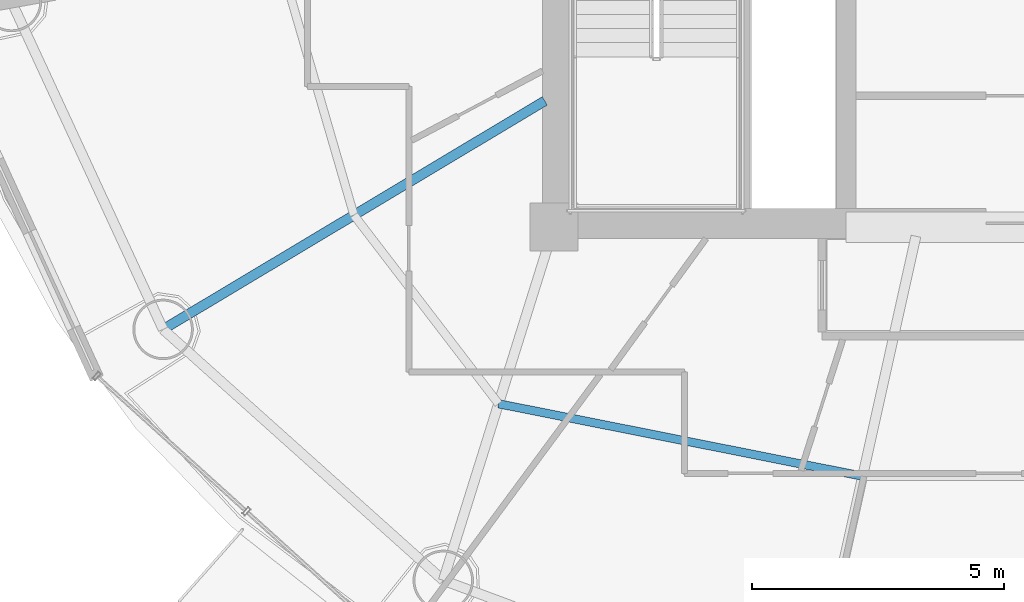
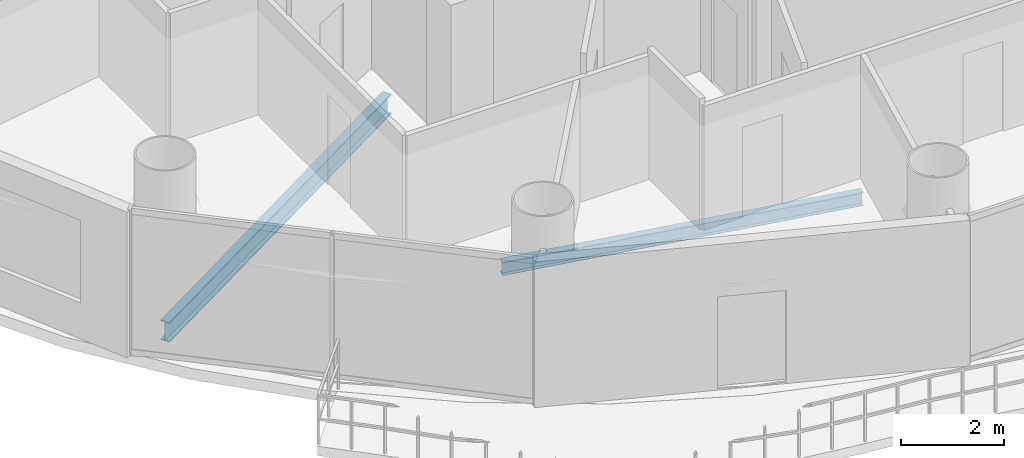
# One storey, part 4 of 27: 2 beams.
"""IFC4 building model written with IfcOpenShell, lengths in metres."""

from ifc_helpers import new_model, si_unit, direction, frame, origin, origin_2d, place, context, subcontext, project, spatial, i_section, extrude, material, material_profile, profile_set, type_object, element, save


model = new_model("IFC4")

# Units and contexts
model_context = context("Model", 3, precision=1e-05, world=origin(), true_north=direction((-0.2419218956, 0.970295726276)))
body_context = subcontext(model_context, "Body", "Model", "MODEL_VIEW")
ifc_project = project(units=[si_unit("LENGTHUNIT", "METRE"), si_unit("AREAUNIT", "SQUARE_METRE"), si_unit("VOLUMEUNIT", "CUBIC_METRE"), si_unit("PLANEANGLEUNIT", "RADIAN"), si_unit("MASSUNIT", "GRAM", prefix="KILO")], contexts=[model_context])

# Site, building, storey
site_placement = place(None, origin())
site = spatial("IfcSite", under=ifc_project, at=site_placement, CompositionType="ELEMENT")
building_placement = place(site_placement, origin())
building = spatial("IfcBuilding", under=site, at=building_placement, Name="Cobrevalo Terracotta Tower", CompositionType="ELEMENT")
storey_placement = place(building_placement, frame((0.0, 0.0, 191.199951171875)))
storey = spatial("IfcBuildingStorey", under=building, at=storey_placement, Name="L50", CompositionType="ELEMENT", Elevation=191.199951171875)

# Beams
ifc_material = material(Name="Steel S355", Category="steel")
ifc_material_profile_1 = material_profile(ifc_material, i_section(OverallWidth=0.194091796875, OverallDepth=0.468994140625, WebThickness=0.011474609375, FlangeThickness=0.0205078125, at=origin_2d()), Name="W 460x106")
ifc_profile_set_1 = profile_set([ifc_material_profile_1], Name="Steel S355")
beam_type_1 = type_object("IfcBeamType", Name="Structural Beam W 460x106 (Steel S355)", PredefinedType="BEAM", material=ifc_profile_set_1)
beam_1_placement = place(storey_placement, frame((21.245849609375, 16.77197265625, -0.49951171875), z_axis=(0.858046392192, 0.513572184651, 0.0), x_axis=(-0.513572184651, 0.858046392192, 0.0)))
element("IfcBeam", 1, at=beam_1_placement, inside=storey, type_object=beam_type_1, Name="L50 radial floor girder 10", PredefinedType="BEAM", context=body_context, shape_type="SweptSolid", body=[
    extrude(i_section(OverallWidth=0.194091796875, OverallDepth=0.468994140625, WebThickness=0.011474609375, FlangeThickness=0.0205078125, at=origin_2d()), origin(), (0.0, 0.0, 1.0), 8.827392578125),
])
ifc_material_profile_2 = material_profile(ifc_material, i_section(OverallWidth=0.1650390625, OverallDepth=0.31005859375, WebThickness=0.005859375, FlangeThickness=0.009765625, at=origin_2d()), Name="W 310x38.7")
ifc_profile_set_2 = profile_set([ifc_material_profile_2], Name="Steel S355")
beam_type_2 = type_object("IfcBeamType", Name="Structural Joist W 310x38.7 (Steel S355)", PredefinedType="JOIST", material=ifc_profile_set_2)
beam_2_placement = place(storey_placement, frame((27.902587890625, 15.2958984375, -0.419921875), z_axis=(0.980768907748, -0.195172614871, 0.0), x_axis=(0.195172614871, 0.980768907748, 0.0)))
element("IfcBeam", 2, at=beam_2_placement, inside=storey, type_object=beam_type_2, Name="L50 circumferential secondary floor joist 11", PredefinedType="JOIST", context=body_context, shape_type="SweptSolid", body=[
    extrude(i_section(OverallWidth=0.1650390625, OverallDepth=0.31005859375, WebThickness=0.005859375, FlangeThickness=0.009765625, at=origin_2d()), origin(), (0.0, 0.0, 1.0), 7.365234375),
])

save(model, "model.ifc")
